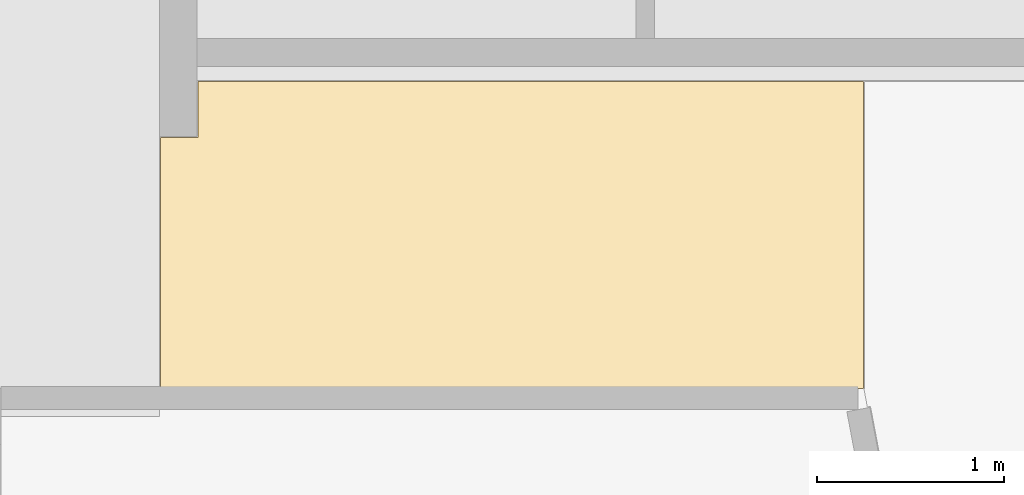
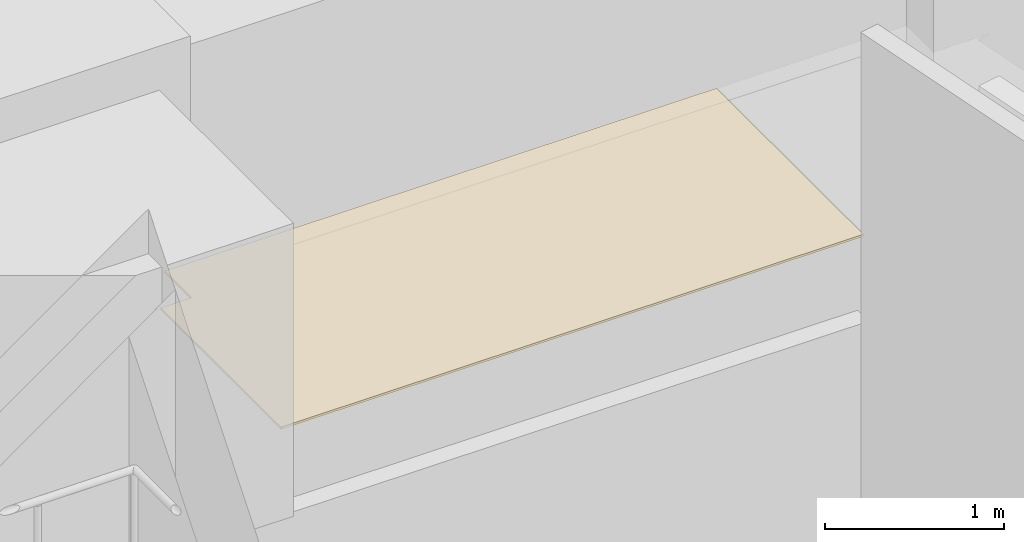
# One storey, part 22 of 22: 1 covering.
"""IFC4 building model written with IfcOpenShell, lengths in metres."""

import ifcopenshell
import ifcopenshell.guid

model = None  # the IFC model being written
_history = None  # IfcOwnerHistory: only IFC2X3 demands one
_inside = {}  # id of a spatial element -> (the spatial element, [elements in it])
_under = {}  # id of a project, library or spatial element -> (it, [spatial elements below it])
_declared = {}  # id of a project -> (the project, [libraries it declares])
_typed = {}  # id of a type object -> (the type object, [elements of that type])
_made_of = {}  # id of a material, layer set ... -> (it, [elements and type objects made of it])


def new_model(schema):
    """Start an empty IFC model of exactly this schema.

    Asked for "IFC4X3", IfcOpenShell would pick the latest addendum, in which some entities
    have other attributes; the version numbers below select the first issue.
    IFC2X3 requires an IfcOwnerHistory on every rooted entity: one is made here for all.
    """
    global model, _history
    if schema == "IFC4X3":
        model = ifcopenshell.file(schema_version=(4, 3, 0, 0))
    else:
        model = ifcopenshell.file(schema=schema)
    _inside.clear()
    _under.clear()
    _declared.clear()
    _typed.clear()
    _made_of.clear()
    _history = None
    if model.schema == "IFC2X3":
        org = make("IfcOrganization", Name="unknown")
        user = make(
            "IfcPersonAndOrganization",
            ThePerson=make("IfcPerson", FamilyName="unknown"),
            TheOrganization=org,
        )
        app = make(
            "IfcApplication",
            ApplicationDeveloper=org,
            Version="unknown",
            ApplicationFullName="unknown",
            ApplicationIdentifier="unknown",
        )
        _history = make(
            "IfcOwnerHistory",
            OwningUser=user,
            OwningApplication=app,
            ChangeAction="ADDED",
            CreationDate=0,
        )
    return model


def make(cls, **values):
    """One entity of the class cls with the attributes given. An attribute that is None is left unset."""
    return model.create_entity(
        cls, **{name: value for name, value in values.items() if value is not None}
    )


def rooted(cls, **values):
    """An entity with a GlobalId (a new one), such as an element, a storey or a relation."""
    return make(cls, GlobalId=ifcopenshell.guid.new(), OwnerHistory=_history, **values)


def si_unit(unit_type, name, prefix=None):
    """IfcSIUnit, for example si_unit("LENGTHUNIT", "METRE", prefix="MILLI")."""
    return make("IfcSIUnit", UnitType=unit_type, Prefix=prefix, Name=name)


def assignment(units):
    """IfcUnitAssignment: the units of a project."""
    return None if units is None else make("IfcUnitAssignment", Units=units)


def point(xyz):
    """IfcCartesianPoint."""
    return None if xyz is None else make("IfcCartesianPoint", Coordinates=xyz)


def direction(xyz):
    """IfcDirection."""
    return None if xyz is None else make("IfcDirection", DirectionRatios=xyz)


def frame(location, z_axis=None, x_axis=None):
    """IfcAxis2Placement3D, a coordinate frame: its origin and axes. An axis left out is left unset."""
    return make(
        "IfcAxis2Placement3D",
        Location=point(location),
        Axis=direction(z_axis),
        RefDirection=direction(x_axis),
    )


def origin():
    """The frame at (0, 0, 0) with its axes left unset."""
    return frame((0.0, 0.0, 0.0))


def place(relative_to, where):
    """IfcLocalPlacement: puts the frame where relative to a parent placement (None: the world)."""
    return make(
        "IfcLocalPlacement", PlacementRelTo=relative_to, RelativePlacement=where
    )


def context(
    kind, dimensions, precision=None, world=None, true_north=None, identifier=None
):
    """IfcGeometricRepresentationContext, for example the 3D "Model" context."""
    return make(
        "IfcGeometricRepresentationContext",
        ContextIdentifier=identifier,
        ContextType=kind,
        CoordinateSpaceDimension=dimensions,
        Precision=precision,
        WorldCoordinateSystem=world,
        TrueNorth=true_north,
    )


def subcontext(parent, identifier, kind, view, scale=None):
    """IfcGeometricRepresentationSubContext, for example "Body" below "Model"."""
    return make(
        "IfcGeometricRepresentationSubContext",
        ContextIdentifier=identifier,
        ContextType=kind,
        ParentContext=parent,
        TargetScale=scale,
        TargetView=view,
    )


def project(units=None, contexts=None):
    """IfcProject with its units and contexts."""
    return rooted(
        "IfcProject",
        Name="project",
        RepresentationContexts=contexts,
        UnitsInContext=assignment(units),
    )


def spatial(cls, under=None, at=None, **own):
    """A site, building, storey or space (cls), placed at a placement, below another one or the project."""
    s = rooted(cls, ObjectPlacement=at, **own)
    if under is not None:
        _under.setdefault(under.id(), (under, []))[1].append(s)
    return s


def polyline(points):
    """IfcPolyline through the points."""
    return make("IfcPolyline", Points=[point(p) for p in points])


def outline(outer, holes=None, kind="AREA"):
    """IfcArbitraryClosedProfileDef: a profile drawn as a closed curve; with holes, ...WithVoids."""
    if holes is None:
        return make("IfcArbitraryClosedProfileDef", ProfileType=kind, OuterCurve=outer)
    return make(
        "IfcArbitraryProfileDefWithVoids",
        ProfileType=kind,
        OuterCurve=outer,
        InnerCurves=holes,
    )


def extrude(swept, where, along, depth):
    """IfcExtrudedAreaSolid: the profile swept, set in the frame where, extruded along a direction by depth."""
    return make(
        "IfcExtrudedAreaSolid",
        SweptArea=swept,
        Position=where,
        ExtrudedDirection=direction(along),
        Depth=depth,
    )


def shape(context_of_items, identifier, shape_type, items):
    """IfcShapeRepresentation: the items that make up one representation, for example the "Body"."""
    return make(
        "IfcShapeRepresentation",
        ContextOfItems=context_of_items,
        RepresentationIdentifier=identifier,
        RepresentationType=shape_type,
        Items=items,
    )


def material(Name=None, Category=None):
    """IfcMaterial."""
    return make("IfcMaterial", Name=Name, Category=Category)


def layer(
    of_material, thickness, ventilated=None, Name=None, Category=None, Priority=None
):
    """IfcMaterialLayer: one layer of a wall or slab, of a material (None: an air gap)."""
    return make(
        "IfcMaterialLayer",
        Material=of_material,
        LayerThickness=thickness,
        IsVentilated=ventilated,
        Name=Name,
        Category=Category,
        Priority=Priority,
    )


def layer_set(layers, Name=None):
    """IfcMaterialLayerSet."""
    return make("IfcMaterialLayerSet", MaterialLayers=layers, LayerSetName=Name)


def made_of(thing, what):
    """Note that an element or type object is made of a material, layer set ...; save() writes the relation."""
    if what is not None:
        _made_of.setdefault(what.id(), (what, []))[1].append(thing)
    return thing


def type_object(cls, material=None, **own):
    """A type object (cls), such as IfcWallType, which elements share."""
    return made_of(rooted(cls, **own), material)


def element(
    cls,
    number,
    at=None,
    inside=None,
    cuts=None,
    type_object=None,
    material=None,
    context=None,
    identifier="Body",
    shape_type=None,
    held_by="IfcProductDefinitionShape",
    body=None,
    shapes=None,
    **own,
):
    """One element of the class cls, such as IfcWall. Its Tag is "e" and its number.

    at: its placement. inside: the storey or other place that contains it. cuts: it is an
    opening in that element (IfcRelVoidsElement). A single representation is given by context,
    identifier, shape_type and body (its items); several are given by shapes. held_by: the class
    of the entity that holds the representations. save() writes the other relations.
    """
    e = rooted(cls, Tag="e%d" % number, ObjectPlacement=at, **own)
    if body is not None:
        shapes = [shape(context, identifier, shape_type, body)]
    if shapes is not None:
        e.Representation = make(held_by, Representations=shapes)
    if inside is not None:
        _inside.setdefault(inside.id(), (inside, []))[1].append(e)
    if cuts is not None:
        rooted(
            "IfcRelVoidsElement", RelatingBuildingElement=cuts, RelatedOpeningElement=e
        )
    if type_object is not None:
        _typed.setdefault(type_object.id(), (type_object, []))[1].append(e)
    return made_of(e, material)


def aggregate(whole, parts):
    """IfcRelAggregates: a whole, such as a stair, and the parts it consists of."""
    return rooted("IfcRelAggregates", RelatingObject=whole, RelatedObjects=parts)


def save(model, path):
    """Write the relations noted so far, then the file.

    IfcRelAggregates (storeys below a building ...), IfcRelContainedInSpatialStructure (elements
    in a storey), IfcRelDefinesByType, IfcRelAssociatesMaterial and IfcRelDeclares: one each for
    every whole, place, type object, material and project.
    """
    for whole, parts in _under.values():
        aggregate(whole, parts)
    for where, things in _inside.values():
        rooted(
            "IfcRelContainedInSpatialStructure",
            RelatedElements=things,
            RelatingStructure=where,
        )
    for kind, things in _typed.values():
        rooted("IfcRelDefinesByType", RelatedObjects=things, RelatingType=kind)
    for what, things in _made_of.values():
        rooted("IfcRelAssociatesMaterial", RelatedObjects=things, RelatingMaterial=what)
    for by, libraries in _declared.values():
        rooted("IfcRelDeclares", RelatingContext=by, RelatedDefinitions=libraries)
    model.write(path)


model = new_model("IFC4")

# Units and contexts
model_context = context("Model", 3, precision=1e-05, world=origin(), true_north=direction((0.0, 1.0)))
body_context = subcontext(model_context, "Body", "Model", "MODEL_VIEW")
ifc_project = project(units=[si_unit("LENGTHUNIT", "METRE"), si_unit("AREAUNIT", "SQUARE_METRE"), si_unit("VOLUMEUNIT", "CUBIC_METRE"), si_unit("PLANEANGLEUNIT", "RADIAN"), si_unit("MASSUNIT", "GRAM", prefix="KILO")], contexts=[model_context])

# Site, building, storey
site_placement = place(None, origin())
site = spatial("IfcSite", under=ifc_project, at=site_placement, CompositionType="ELEMENT")
building_placement = place(site_placement, origin())
building = spatial("IfcBuilding", under=site, at=building_placement, Name="Sheger Commons Tower", CompositionType="ELEMENT")
storey_placement = place(building_placement, frame((0.0, 0.0, 10.10009765625)))
storey = spatial("IfcBuildingStorey", under=building, at=storey_placement, Name="L02", CompositionType="ELEMENT", Elevation=10.10009765625)

# Covering
ifc_material = material(Name="Gypsum plasterboard 15 mm on a suspended steel grid", Category="steel")
ifc_layer = layer(ifc_material, 0.014892578125)
ifc_layer_set = layer_set([ifc_layer], Name="SUSPENDED CEILING 15")
covering_type = type_object("IfcCoveringType", Name="SUSPENDED CEILING 15", PredefinedType="CEILING", material=ifc_layer_set)
covering_placement = place(storey_placement, frame((0.0, 0.0, 2.699951171875)))
element("IfcCovering", 1, at=covering_placement, inside=storey, type_object=covering_type, Name="L02-CO ceiling", PredefinedType="CEILING", context=body_context, shape_type="SweptSolid", body=[
    extrude(outline(polyline([(29.804931640625, 34.949951171875), (33.568115234375, 34.949951171875), (33.568115234375, 36.594970703125), (30.0048828125, 36.594970703125), (30.0048828125, 36.294921875), (29.804931640625, 36.294921875), (29.804931640625, 34.949951171875)])), origin(), (0.0, 0.0, 1.0), 0.014892578125),
])

save(model, "model.ifc")
